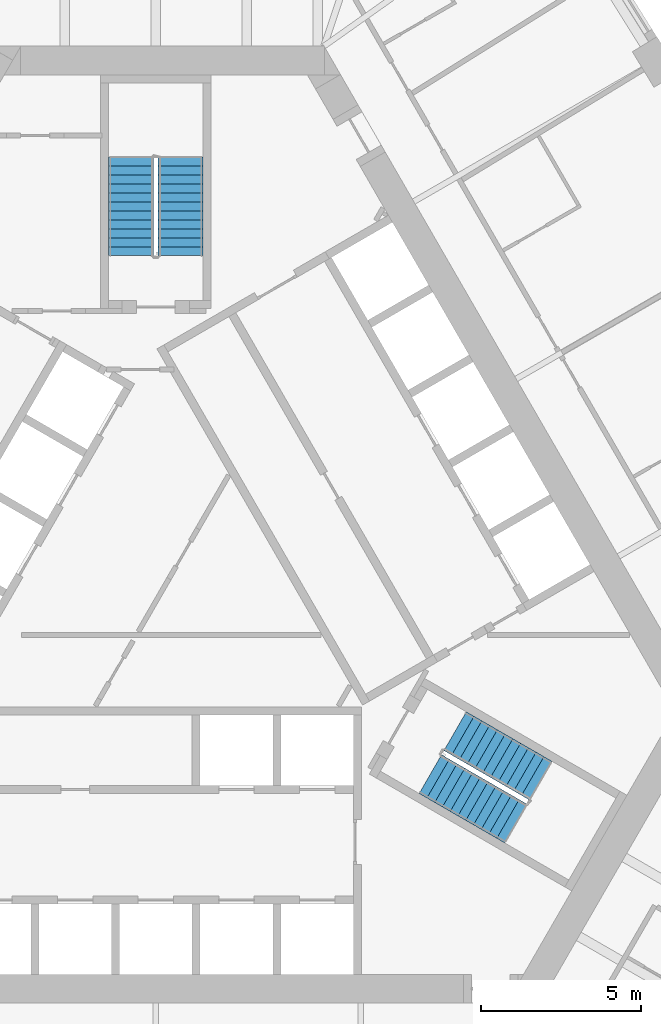
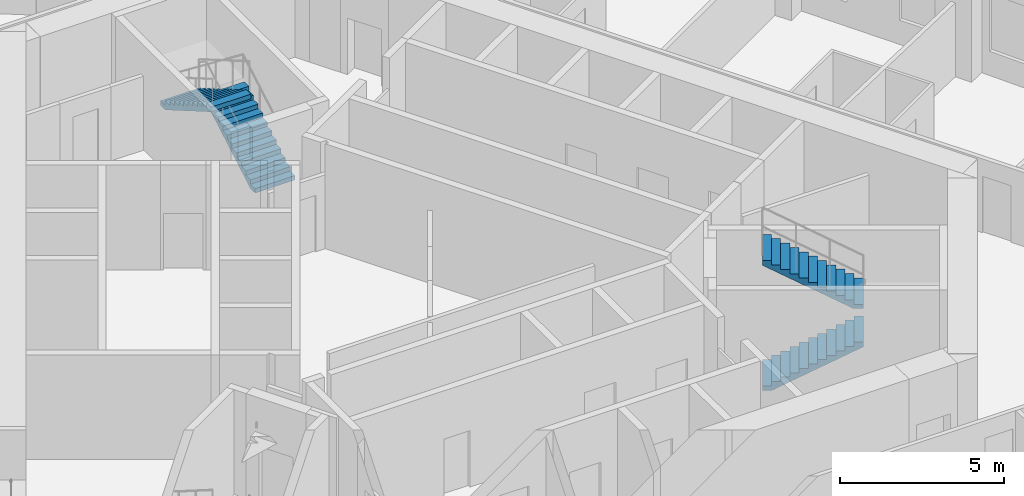
# One storey, part 12 of 13: 4 stair flights, 2 elements without a shape of their own.
"""IFC4 building model written with IfcOpenShell, lengths in metres."""

from ifc_helpers import new_model, si_unit, direction, frame, origin, place, context, subcontext, project, spatial, polyline, outline, extrude, material, type_object, element, aggregate, save


model = new_model("IFC4")

# Units and contexts
model_context = context("Model", 3, precision=1e-05, world=origin(), true_north=direction((0.0, 1.0)))
body_context = subcontext(model_context, "Body", "Model", "MODEL_VIEW")
ifc_project = project(units=[si_unit("LENGTHUNIT", "METRE"), si_unit("AREAUNIT", "SQUARE_METRE"), si_unit("VOLUMEUNIT", "CUBIC_METRE"), si_unit("PLANEANGLEUNIT", "RADIAN"), si_unit("MASSUNIT", "GRAM", prefix="KILO")], contexts=[model_context])

# Site, building, storey
site_placement = place(None, origin())
site = spatial("IfcSite", under=ifc_project, at=site_placement, CompositionType="ELEMENT")
building_placement = place(site_placement, origin())
building = spatial("IfcBuilding", under=site, at=building_placement, Name="Mestral Congress Tower", CompositionType="ELEMENT")
storey_placement = place(building_placement, frame((0.0, 0.0, 99.300048828125)))
storey = spatial("IfcBuildingStorey", under=building, at=storey_placement, Name="L23", CompositionType="ELEMENT", Elevation=99.300048828125)

# Stair, stair flights
ifc_material = material(Name="Concrete C60/75", Category="concrete")
stair_type = type_object("IfcStairType", Name="Exit stair 1400", PredefinedType="HALF_TURN_STAIR", material=ifc_material)
placement = place(storey_placement, origin())
stair_1 = element("IfcStair", 1, at=placement, inside=storey, type_object=stair_type, Name="L23 ST1", PredefinedType="HALF_TURN_STAIR")
stair_flight_type = type_object("IfcStairFlightType", Name="Exit stair flight 1400", PredefinedType="STRAIGHT", material=ifc_material)
stair_flight_1_placement = place(storey_placement, frame((8.575927734375, -5.84619140625, 0.0), z_axis=(0.0, 0.0, 1.0), x_axis=(0.866025403784, -0.5, 0.0)))
stair_flight_1 = element("IfcStairFlight", 2, at=stair_flight_1_placement, type_object=stair_flight_type, Name="ST1 flight 1", NumberOfRisers=12, NumberOfTreads=11, PredefinedType="STRAIGHT", RiserHeight=0.1625, TreadLength=0.28, context=body_context, shape_type="SweptSolid", body=[
    extrude(outline(polyline([(0.0, 0.0), (0.0, 0.16259765625), (0.280029296875, 0.16259765625), (0.280029296875, 0.324951171875), (0.56005859375, 0.324951171875), (0.56005859375, 0.487548828125), (0.840087890625, 0.487548828125), (0.840087890625, 0.64990234375), (1.1201171875, 0.64990234375), (1.1201171875, 0.8125), (1.39990234375, 0.8125), (1.39990234375, 0.97509765625), (1.679931640625, 0.97509765625), (1.679931640625, 1.137451171875), (1.9599609375, 1.137451171875), (1.9599609375, 1.300048828125), (2.239990234375, 1.300048828125), (2.239990234375, 1.46240234375), (2.52001953125, 1.46240234375), (2.52001953125, 1.625), (2.800048828125, 1.625), (2.800048828125, 1.78759765625), (3.080078125, 1.78759765625), (3.080078125, 1.949951171875), (3.080078125, 1.6142578125), (0.298583984375, 0.0), (0.0, 0.0)])), frame((0.0, 0.699951171875, 0.0), z_axis=(0.0, -1.0, 0.0), x_axis=(1.0, 0.0, 0.0)), (0.0, 0.0, 1.0), 1.39990234375),
])
stair_flight_2_placement = place(storey_placement, frame((12.018310546875, -6.0439453125, 1.949951171875), z_axis=(0.0, 0.0, 1.0), x_axis=(-0.866025403784, 0.5, 0.0)))
stair_flight_2 = element("IfcStairFlight", 3, at=stair_flight_2_placement, type_object=stair_flight_type, Name="ST1 flight 2", NumberOfRisers=12, NumberOfTreads=11, PredefinedType="STRAIGHT", RiserHeight=0.1625, TreadLength=0.28, context=body_context, shape_type="SweptSolid", body=[
    extrude(outline(polyline([(0.0, 0.0), (0.0, 0.16259765625), (0.280029296875, 0.16259765625), (0.280029296875, 0.324951171875), (0.56005859375, 0.324951171875), (0.56005859375, 0.487548828125), (0.840087890625, 0.487548828125), (0.840087890625, 0.64990234375), (1.1201171875, 0.64990234375), (1.1201171875, 0.8125), (1.39990234375, 0.8125), (1.39990234375, 0.97509765625), (1.679931640625, 0.97509765625), (1.679931640625, 1.137451171875), (1.9599609375, 1.137451171875), (1.9599609375, 1.300048828125), (2.239990234375, 1.300048828125), (2.239990234375, 1.46240234375), (2.52001953125, 1.46240234375), (2.52001953125, 1.625), (2.800048828125, 1.625), (2.800048828125, 1.78759765625), (3.080078125, 1.78759765625), (3.080078125, 1.949951171875), (3.080078125, 1.6142578125), (0.298583984375, 0.0), (0.0, 0.0)])), frame((0.0, 0.699951171875, 0.0), z_axis=(0.0, -1.0, 0.0), x_axis=(1.0, 0.0, 0.0)), (0.0, 0.0, 1.0), 1.39990234375),
])
aggregate(stair_1, [stair_flight_1, stair_flight_2])

stair_2 = element("IfcStair", 4, at=placement, inside=storey, type_object=stair_type, Name="L23 ST2", PredefinedType="HALF_TURN_STAIR")
stair_flight_3_placement = place(storey_placement, frame((0.77490234375, 10.35009765625, 0.0), z_axis=(0.0, 0.0, 1.0), x_axis=(0.0, 1.0, 0.0)))
stair_flight_3 = element("IfcStairFlight", 5, at=stair_flight_3_placement, type_object=stair_flight_type, Name="ST2 flight 1", NumberOfRisers=12, NumberOfTreads=11, PredefinedType="STRAIGHT", RiserHeight=0.1625, TreadLength=0.28, context=body_context, shape_type="SweptSolid", body=[
    extrude(outline(polyline([(0.0, 0.0), (0.0, 0.16259765625), (0.280029296875, 0.16259765625), (0.280029296875, 0.324951171875), (0.56005859375, 0.324951171875), (0.56005859375, 0.487548828125), (0.840087890625, 0.487548828125), (0.840087890625, 0.64990234375), (1.1201171875, 0.64990234375), (1.1201171875, 0.8125), (1.39990234375, 0.8125), (1.39990234375, 0.97509765625), (1.679931640625, 0.97509765625), (1.679931640625, 1.137451171875), (1.9599609375, 1.137451171875), (1.9599609375, 1.300048828125), (2.239990234375, 1.300048828125), (2.239990234375, 1.46240234375), (2.52001953125, 1.46240234375), (2.52001953125, 1.625), (2.800048828125, 1.625), (2.800048828125, 1.78759765625), (3.080078125, 1.78759765625), (3.080078125, 1.949951171875), (3.080078125, 1.6142578125), (0.298583984375, 0.0), (0.0, 0.0)])), frame((0.0, 0.699951171875, 0.0), z_axis=(0.0, -1.0, 0.0), x_axis=(1.0, 0.0, 0.0)), (0.0, 0.0, 1.0), 1.39990234375),
])
stair_flight_4_placement = place(storey_placement, frame((-0.77490234375, 13.429931640625, 1.949951171875), z_axis=(0.0, 0.0, 1.0), x_axis=(0.0, -1.0, 0.0)))
stair_flight_4 = element("IfcStairFlight", 6, at=stair_flight_4_placement, type_object=stair_flight_type, Name="ST2 flight 2", NumberOfRisers=12, NumberOfTreads=11, PredefinedType="STRAIGHT", RiserHeight=0.1625, TreadLength=0.28, context=body_context, shape_type="SweptSolid", body=[
    extrude(outline(polyline([(0.0, 0.0), (0.0, 0.16259765625), (0.280029296875, 0.16259765625), (0.280029296875, 0.324951171875), (0.56005859375, 0.324951171875), (0.56005859375, 0.487548828125), (0.840087890625, 0.487548828125), (0.840087890625, 0.64990234375), (1.1201171875, 0.64990234375), (1.1201171875, 0.8125), (1.39990234375, 0.8125), (1.39990234375, 0.97509765625), (1.679931640625, 0.97509765625), (1.679931640625, 1.137451171875), (1.9599609375, 1.137451171875), (1.9599609375, 1.300048828125), (2.239990234375, 1.300048828125), (2.239990234375, 1.46240234375), (2.52001953125, 1.46240234375), (2.52001953125, 1.625), (2.800048828125, 1.625), (2.800048828125, 1.78759765625), (3.080078125, 1.78759765625), (3.080078125, 1.949951171875), (3.080078125, 1.6142578125), (0.298583984375, 0.0), (0.0, 0.0)])), frame((0.0, 0.699951171875, 0.0), z_axis=(0.0, -1.0, 0.0), x_axis=(1.0, 0.0, 0.0)), (0.0, 0.0, 1.0), 1.39990234375),
])
aggregate(stair_2, [stair_flight_3, stair_flight_4])

save(model, "model.ifc")
